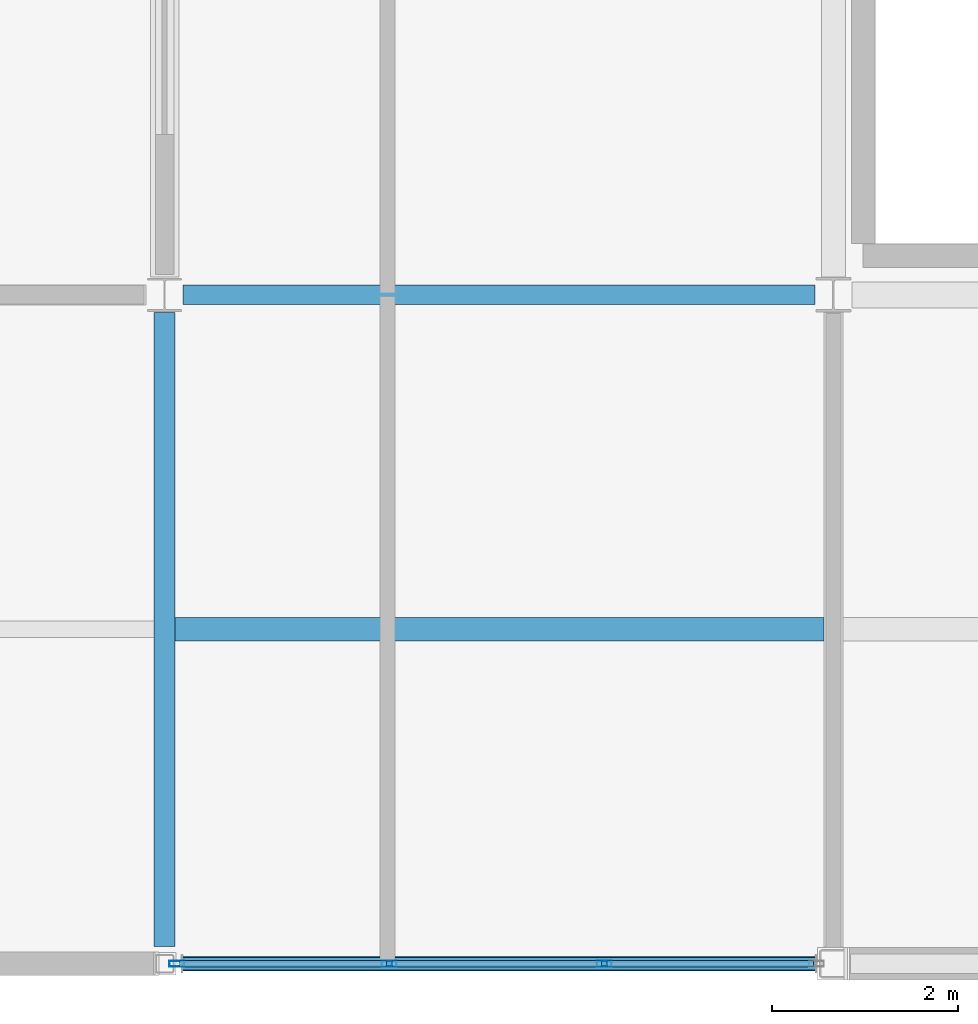
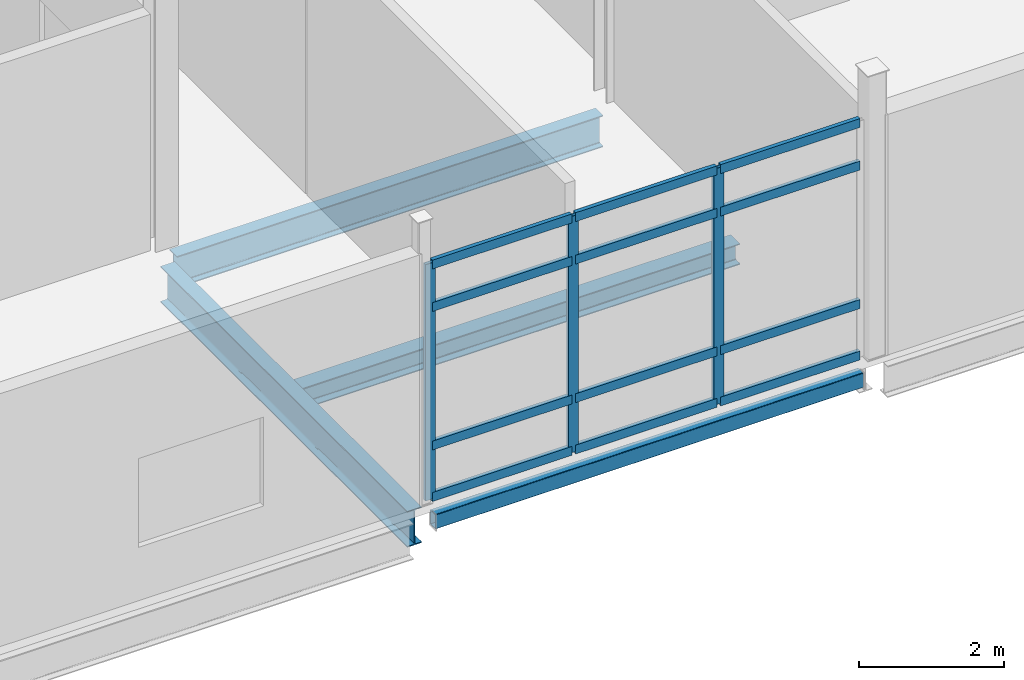
# One storey, part 22 of 72: 15 members, 4 beams, 1 element without a shape of its own.
"""IFC4 building model written with IfcOpenShell, lengths in metres."""

import ifcopenshell
import ifcopenshell.guid

model = None  # the IFC model being written
_history = None  # IfcOwnerHistory: only IFC2X3 demands one
_inside = {}  # id of a spatial element -> (the spatial element, [elements in it])
_under = {}  # id of a project, library or spatial element -> (it, [spatial elements below it])
_declared = {}  # id of a project -> (the project, [libraries it declares])
_typed = {}  # id of a type object -> (the type object, [elements of that type])
_made_of = {}  # id of a material, layer set ... -> (it, [elements and type objects made of it])


def new_model(schema):
    """Start an empty IFC model of exactly this schema.

    Asked for "IFC4X3", IfcOpenShell would pick the latest addendum, in which some entities
    have other attributes; the version numbers below select the first issue.
    IFC2X3 requires an IfcOwnerHistory on every rooted entity: one is made here for all.
    """
    global model, _history
    if schema == "IFC4X3":
        model = ifcopenshell.file(schema_version=(4, 3, 0, 0))
    else:
        model = ifcopenshell.file(schema=schema)
    _inside.clear()
    _under.clear()
    _declared.clear()
    _typed.clear()
    _made_of.clear()
    _history = None
    if model.schema == "IFC2X3":
        org = make("IfcOrganization", Name="unknown")
        user = make(
            "IfcPersonAndOrganization",
            ThePerson=make("IfcPerson", FamilyName="unknown"),
            TheOrganization=org,
        )
        app = make(
            "IfcApplication",
            ApplicationDeveloper=org,
            Version="unknown",
            ApplicationFullName="unknown",
            ApplicationIdentifier="unknown",
        )
        _history = make(
            "IfcOwnerHistory",
            OwningUser=user,
            OwningApplication=app,
            ChangeAction="ADDED",
            CreationDate=0,
        )
    return model


def make(cls, **values):
    """One entity of the class cls with the attributes given. An attribute that is None is left unset."""
    return model.create_entity(
        cls, **{name: value for name, value in values.items() if value is not None}
    )


def rooted(cls, **values):
    """An entity with a GlobalId (a new one), such as an element, a storey or a relation."""
    return make(cls, GlobalId=ifcopenshell.guid.new(), OwnerHistory=_history, **values)


def si_unit(unit_type, name, prefix=None):
    """IfcSIUnit, for example si_unit("LENGTHUNIT", "METRE", prefix="MILLI")."""
    return make("IfcSIUnit", UnitType=unit_type, Prefix=prefix, Name=name)


def assignment(units):
    """IfcUnitAssignment: the units of a project."""
    return None if units is None else make("IfcUnitAssignment", Units=units)


def point(xyz):
    """IfcCartesianPoint."""
    return None if xyz is None else make("IfcCartesianPoint", Coordinates=xyz)


def direction(xyz):
    """IfcDirection."""
    return None if xyz is None else make("IfcDirection", DirectionRatios=xyz)


def frame(location, z_axis=None, x_axis=None):
    """IfcAxis2Placement3D, a coordinate frame: its origin and axes. An axis left out is left unset."""
    return make(
        "IfcAxis2Placement3D",
        Location=point(location),
        Axis=direction(z_axis),
        RefDirection=direction(x_axis),
    )


def frame_2d(location, x_axis=None):
    """IfcAxis2Placement2D, a coordinate frame in the plane: its origin and x axis."""
    return make(
        "IfcAxis2Placement2D", Location=point(location), RefDirection=direction(x_axis)
    )


def origin():
    """The frame at (0, 0, 0) with its axes left unset."""
    return frame((0.0, 0.0, 0.0))


def origin_2d():
    """The frame at (0, 0) in the plane with its x axis left unset."""
    return frame_2d((0.0, 0.0))


def place(relative_to, where):
    """IfcLocalPlacement: puts the frame where relative to a parent placement (None: the world)."""
    return make(
        "IfcLocalPlacement", PlacementRelTo=relative_to, RelativePlacement=where
    )


def context(
    kind, dimensions, precision=None, world=None, true_north=None, identifier=None
):
    """IfcGeometricRepresentationContext, for example the 3D "Model" context."""
    return make(
        "IfcGeometricRepresentationContext",
        ContextIdentifier=identifier,
        ContextType=kind,
        CoordinateSpaceDimension=dimensions,
        Precision=precision,
        WorldCoordinateSystem=world,
        TrueNorth=true_north,
    )


def subcontext(parent, identifier, kind, view, scale=None):
    """IfcGeometricRepresentationSubContext, for example "Body" below "Model"."""
    return make(
        "IfcGeometricRepresentationSubContext",
        ContextIdentifier=identifier,
        ContextType=kind,
        ParentContext=parent,
        TargetScale=scale,
        TargetView=view,
    )


def project(units=None, contexts=None):
    """IfcProject with its units and contexts."""
    return rooted(
        "IfcProject",
        Name="project",
        RepresentationContexts=contexts,
        UnitsInContext=assignment(units),
    )


def spatial(cls, under=None, at=None, **own):
    """A site, building, storey or space (cls), placed at a placement, below another one or the project."""
    s = rooted(cls, ObjectPlacement=at, **own)
    if under is not None:
        _under.setdefault(under.id(), (under, []))[1].append(s)
    return s


def profile(cls, at=None, kind="AREA", **sizes):
    """A parametric profile (cls). Its sizes go by their IFC names, for example OverallWidth=200.0."""
    return make(cls, ProfileType=kind, Position=at, **sizes)


def hollow_rectangle(**sizes):
    """IfcRectangleHollowProfileDef."""
    return profile("IfcRectangleHollowProfileDef", **sizes)


def i_section(**sizes):
    """IfcIShapeProfileDef."""
    return profile("IfcIShapeProfileDef", **sizes)


def extrude(swept, where, along, depth):
    """IfcExtrudedAreaSolid: the profile swept, set in the frame where, extruded along a direction by depth."""
    return make(
        "IfcExtrudedAreaSolid",
        SweptArea=swept,
        Position=where,
        ExtrudedDirection=direction(along),
        Depth=depth,
    )


def shape(context_of_items, identifier, shape_type, items):
    """IfcShapeRepresentation: the items that make up one representation, for example the "Body"."""
    return make(
        "IfcShapeRepresentation",
        ContextOfItems=context_of_items,
        RepresentationIdentifier=identifier,
        RepresentationType=shape_type,
        Items=items,
    )


def material(Name=None, Category=None):
    """IfcMaterial."""
    return make("IfcMaterial", Name=Name, Category=Category)


def layer(
    of_material, thickness, ventilated=None, Name=None, Category=None, Priority=None
):
    """IfcMaterialLayer: one layer of a wall or slab, of a material (None: an air gap)."""
    return make(
        "IfcMaterialLayer",
        Material=of_material,
        LayerThickness=thickness,
        IsVentilated=ventilated,
        Name=Name,
        Category=Category,
        Priority=Priority,
    )


def layer_set(layers, Name=None):
    """IfcMaterialLayerSet."""
    return make("IfcMaterialLayerSet", MaterialLayers=layers, LayerSetName=Name)


def material_profile(
    of_material, cross_section, Name=None, Category=None, Priority=None
):
    """IfcMaterialProfile: a cross section and its material."""
    return make(
        "IfcMaterialProfile",
        Name=Name,
        Material=of_material,
        Profile=cross_section,
        Priority=Priority,
        Category=Category,
    )


def profile_set(profiles, Name=None, composite=None):
    """IfcMaterialProfileSet."""
    return make(
        "IfcMaterialProfileSet",
        Name=Name,
        MaterialProfiles=profiles,
        CompositeProfile=composite,
    )


def made_of(thing, what):
    """Note that an element or type object is made of a material, layer set ...; save() writes the relation."""
    if what is not None:
        _made_of.setdefault(what.id(), (what, []))[1].append(thing)
    return thing


def type_object(cls, material=None, **own):
    """A type object (cls), such as IfcWallType, which elements share."""
    return made_of(rooted(cls, **own), material)


def element(
    cls,
    number,
    at=None,
    inside=None,
    cuts=None,
    type_object=None,
    material=None,
    context=None,
    identifier="Body",
    shape_type=None,
    held_by="IfcProductDefinitionShape",
    body=None,
    shapes=None,
    **own,
):
    """One element of the class cls, such as IfcWall. Its Tag is "e" and its number.

    at: its placement. inside: the storey or other place that contains it. cuts: it is an
    opening in that element (IfcRelVoidsElement). A single representation is given by context,
    identifier, shape_type and body (its items); several are given by shapes. held_by: the class
    of the entity that holds the representations. save() writes the other relations.
    """
    e = rooted(cls, Tag="e%d" % number, ObjectPlacement=at, **own)
    if body is not None:
        shapes = [shape(context, identifier, shape_type, body)]
    if shapes is not None:
        e.Representation = make(held_by, Representations=shapes)
    if inside is not None:
        _inside.setdefault(inside.id(), (inside, []))[1].append(e)
    if cuts is not None:
        rooted(
            "IfcRelVoidsElement", RelatingBuildingElement=cuts, RelatedOpeningElement=e
        )
    if type_object is not None:
        _typed.setdefault(type_object.id(), (type_object, []))[1].append(e)
    return made_of(e, material)


def aggregate(whole, parts):
    """IfcRelAggregates: a whole, such as a stair, and the parts it consists of."""
    return rooted("IfcRelAggregates", RelatingObject=whole, RelatedObjects=parts)


def save(model, path):
    """Write the relations noted so far, then the file.

    IfcRelAggregates (storeys below a building ...), IfcRelContainedInSpatialStructure (elements
    in a storey), IfcRelDefinesByType, IfcRelAssociatesMaterial and IfcRelDeclares: one each for
    every whole, place, type object, material and project.
    """
    for whole, parts in _under.values():
        aggregate(whole, parts)
    for where, things in _inside.values():
        rooted(
            "IfcRelContainedInSpatialStructure",
            RelatedElements=things,
            RelatingStructure=where,
        )
    for kind, things in _typed.values():
        rooted("IfcRelDefinesByType", RelatedObjects=things, RelatingType=kind)
    for what, things in _made_of.values():
        rooted("IfcRelAssociatesMaterial", RelatedObjects=things, RelatingMaterial=what)
    for by, libraries in _declared.values():
        rooted("IfcRelDeclares", RelatingContext=by, RelatedDefinitions=libraries)
    model.write(path)


model = new_model("IFC4")

# Units and contexts
model_context = context("Model", 3, precision=1e-05, world=origin(), true_north=direction((0.0, 1.0)))
body_context = subcontext(model_context, "Body", "Model", "MODEL_VIEW")
ifc_project = project(units=[si_unit("LENGTHUNIT", "METRE"), si_unit("AREAUNIT", "SQUARE_METRE"), si_unit("VOLUMEUNIT", "CUBIC_METRE"), si_unit("PLANEANGLEUNIT", "RADIAN"), si_unit("MASSUNIT", "GRAM", prefix="KILO")], contexts=[model_context])

# Site, building, storey
site_placement = place(None, origin())
site = spatial("IfcSite", under=ifc_project, at=site_placement, CompositionType="ELEMENT")
building_placement = place(site_placement, origin())
building = spatial("IfcBuilding", under=site, at=building_placement, Name="Calvrana Isthmian Art Gallery", CompositionType="ELEMENT")
storey_placement = place(building_placement, frame((0.0, 0.0, 15.0)))
storey = spatial("IfcBuildingStorey", under=building, at=storey_placement, Name="L03", CompositionType="ELEMENT", Elevation=15.0)

# Beams
ifc_material_1 = material(Name="Steel ASTM A992 Gr 50", Category="steel")
ifc_material_profile_1 = material_profile(ifc_material_1, i_section(OverallWidth=0.208984375, OverallDepth=0.532958984375, WebThickness=0.01025390625, FlangeThickness=0.015625, FilletRadius=0.02099609375, at=origin_2d()), Name="W21X62")
ifc_profile_set_1 = profile_set([ifc_material_profile_1], Name="Steel ASTM A992 Gr 50")
beam_type_1 = type_object("IfcBeamType", Name="BM-G-W21X62", PredefinedType="BEAM", material=ifc_profile_set_1)
beam_1_placement = place(storey_placement, frame((120.199462890625, 21.60009765625, -0.511474609375), z_axis=(1.0, 0.0, 0.0), x_axis=(0.0, 1.0, 0.0)))
element("IfcBeam", 1, at=beam_1_placement, inside=storey, type_object=beam_type_1, Name="Girder X L03 16-17/D", PredefinedType="BEAM", context=body_context, shape_type="SweptSolid", body=[
    extrude(i_section(OverallWidth=0.208984375, OverallDepth=0.532958984375, WebThickness=0.01025390625, FlangeThickness=0.015625, FilletRadius=0.02099609375, at=origin_2d()), origin(), (0.0, 0.0, 1.0), 6.802490234375),
])
ifc_material_profile_2 = material_profile(ifc_material_1, i_section(OverallWidth=0.22802734375, OverallDepth=0.60693359375, WebThickness=0.01123046875, FlangeThickness=0.017333984375, FilletRadius=0.02197265625, at=origin_2d()), Name="W24X76")
ifc_profile_set_2 = profile_set([ifc_material_profile_2], Name="Steel ASTM A992 Gr 50")
beam_type_2 = type_object("IfcBeamType", Name="BM-G-W24X76", PredefinedType="BEAM", material=ifc_profile_set_2)
beam_2_placement = place(storey_placement, frame((120.0, 14.583984375, -0.548583984375), z_axis=(0.0, 1.0, 0.0), x_axis=(-1.0, 0.0, 0.0)))
element("IfcBeam", 2, at=beam_2_placement, inside=storey, type_object=beam_type_2, Name="Girder Y L03 16/C-D", PredefinedType="BEAM", context=body_context, shape_type="SweptSolid", body=[
    extrude(i_section(OverallWidth=0.22802734375, OverallDepth=0.60693359375, WebThickness=0.01123046875, FlangeThickness=0.017333984375, FilletRadius=0.02197265625, at=origin_2d()), origin(), (0.0, 0.0, 1.0), 6.822998046875),
])
ifc_material_profile_3 = material_profile(ifc_material_1, i_section(OverallWidth=0.25390625, OverallDepth=0.35302734375, WebThickness=0.009521484375, FlangeThickness=0.016357421875, FilletRadius=0.01806640625, at=origin_2d()), Name="W14X61")
ifc_profile_set_3 = profile_set([ifc_material_profile_3], Name="Steel ASTM A992 Gr 50")
beam_type_3 = type_object("IfcBeamType", Name="BM-J-W14X61", PredefinedType="JOIST", material=ifc_profile_set_3)
beam_3_placement = place(storey_placement, frame((120.114013671875, 18.0, -0.42138671875), z_axis=(1.0, 0.0, 0.0), x_axis=(0.0, 1.0, 0.0)))
element("IfcBeam", 3, at=beam_3_placement, inside=storey, type_object=beam_type_3, Name="Composite joist L03 bay 15-02", PredefinedType="JOIST", context=body_context, shape_type="SweptSolid", body=[
    extrude(i_section(OverallWidth=0.25390625, OverallDepth=0.35302734375, WebThickness=0.009521484375, FlangeThickness=0.016357421875, FilletRadius=0.01806640625, at=origin_2d()), origin(), (0.0, 0.0, 1.0), 6.9814453125),
])
ifc_material_2 = material(Name="Steel ASTM A500 Gr C", Category="steel")
ifc_material_profile_4 = material_profile(ifc_material_2, hollow_rectangle(XDim=0.15234375, YDim=0.25390625, WallThickness=0.009521484375, OuterFilletRadius=0.01904296875, at=origin_2d()), Name="HSS254X152X9.5")
ifc_profile_set_4 = profile_set([ifc_material_profile_4], Name="Steel ASTM A500 Gr C")
beam_type_4 = type_object("IfcBeamType", Name="BM-SP-HSS254", PredefinedType="SPANDREL", material=ifc_profile_set_4)
beam_4_placement = place(storey_placement, frame((120.1865234375, 14.39990234375, -0.3720703125), z_axis=(1.0, 0.0, 0.0), x_axis=(0.0, 1.0, 0.0)))
element("IfcBeam", 4, at=beam_4_placement, inside=storey, type_object=beam_type_4, Name="Girder X L03 16-17/C", PredefinedType="SPANDREL", context=body_context, shape_type="SweptSolid", body=[
    extrude(hollow_rectangle(XDim=0.15234375, YDim=0.25390625, WallThickness=0.009521484375, OuterFilletRadius=0.01904296875, at=origin_2d()), origin(), (0.0, 0.0, 1.0), 6.827880859375),
])

# Curtain wall, members
ifc_material_3 = material(Name="Anodized bronze aluminium 6063-T6", Category="aluminium")
ifc_layer = layer(ifc_material_3, 0.179931640625, Name="Anodized bronze aluminium 6063-T6")
ifc_layer_set = layer_set([ifc_layer], Name="Anodized bronze aluminium 6063-T6")
curtain_wall_type = type_object("IfcCurtainWallType", Name="CW-STICK-069X40", PredefinedType="NOTDEFINED", material=ifc_layer_set)
curtain_wall_placement = place(storey_placement, origin())
curtain_wall = element("IfcCurtainWall", 5, at=curtain_wall_placement, inside=storey, type_object=curtain_wall_type, Name="Curtain wall CW-187", PredefinedType="NOTDEFINED")
ifc_material_profile_5 = material_profile(ifc_material_3, hollow_rectangle(XDim=0.06005859375, YDim=0.159912109375, WallThickness=0.00390625, at=origin_2d()), Name="CWM60X160")
ifc_profile_set_5 = profile_set([ifc_material_profile_5], Name="Anodized bronze aluminium 6063-T6")
member_type_1 = type_object("IfcMemberType", Name="CWM-CWM60X160", PredefinedType="MULLION", material=ifc_profile_set_5)
member_1_placement = place(storey_placement, frame((124.732177734375, 14.39990234375, 0.0), z_axis=(0.0, 0.0, 1.0), x_axis=(0.0, -1.0, 0.0)))
member_1 = element("IfcMember", 6, at=member_1_placement, type_object=member_type_1, Name="CW-187 mullion 2", PredefinedType="MULLION", context=body_context, shape_type="SweptSolid", body=[
    extrude(hollow_rectangle(XDim=0.06005859375, YDim=0.159912109375, WallThickness=0.00390625, at=origin_2d()), origin(), (0.0, 0.0, 1.0), 3.987060546875),
])
member_2_placement = place(storey_placement, frame((122.4169921875, 14.39990234375, 0.0), z_axis=(0.0, 0.0, 1.0), x_axis=(0.0, -1.0, 0.0)))
member_2 = element("IfcMember", 7, at=member_2_placement, type_object=member_type_1, Name="CW-187 mullion 3", PredefinedType="MULLION", context=body_context, shape_type="SweptSolid", body=[
    extrude(hollow_rectangle(XDim=0.06005859375, YDim=0.159912109375, WallThickness=0.00390625, at=origin_2d()), origin(), (0.0, 0.0, 1.0), 3.987060546875),
])
member_3_placement = place(storey_placement, frame((120.131591796875, 14.39990234375, 0.0), z_axis=(0.0, 0.0, 1.0), x_axis=(0.0, -1.0, 0.0)))
member_3 = element("IfcMember", 8, at=member_3_placement, type_object=member_type_1, Name="CW-187 mullion 4", PredefinedType="MULLION", context=body_context, shape_type="SweptSolid", body=[
    extrude(hollow_rectangle(XDim=0.06005859375, YDim=0.159912109375, WallThickness=0.00390625, at=origin_2d()), origin(), (0.0, 0.0, 1.0), 3.987060546875),
])
ifc_material_profile_6 = material_profile(ifc_material_3, hollow_rectangle(XDim=0.06494140625, YDim=0.14990234375, WallThickness=0.00390625, at=origin_2d()), Name="CWT65X150")
ifc_profile_set_6 = profile_set([ifc_material_profile_6], Name="Anodized bronze aluminium 6063-T6")
member_type_2 = type_object("IfcMemberType", Name="CWT-CWT65X150", PredefinedType="USERDEFINED", material=ifc_profile_set_6)
member_4_placement = place(storey_placement, frame((126.987548828125, 14.39990234375, 0.032470703125), z_axis=(-1.0, 0.0, 0.0), x_axis=(0.0, -1.0, 0.0)))
member_4 = element("IfcMember", 9, at=member_4_placement, type_object=member_type_2, Name="CW-187 transom 1.1", ObjectType="TRANSOM", PredefinedType="USERDEFINED", context=body_context, shape_type="SweptSolid", body=[
    extrude(hollow_rectangle(XDim=0.06494140625, YDim=0.14990234375, WallThickness=0.00390625, at=origin_2d()), origin(), (0.0, 0.0, 1.0), 2.225341796875),
])
member_5_placement = place(storey_placement, frame((126.987548828125, 14.39990234375, 0.89990234375), z_axis=(-1.0, 0.0, 0.0), x_axis=(0.0, -1.0, 0.0)))
member_5 = element("IfcMember", 10, at=member_5_placement, type_object=member_type_2, Name="CW-187 transom 1.2", ObjectType="TRANSOM", PredefinedType="USERDEFINED", context=body_context, shape_type="SweptSolid", body=[
    extrude(hollow_rectangle(XDim=0.06494140625, YDim=0.14990234375, WallThickness=0.00390625, at=origin_2d()), origin(), (0.0, 0.0, 1.0), 2.225341796875),
])
member_6_placement = place(storey_placement, frame((126.987548828125, 14.39990234375, 3.237060546875), z_axis=(-1.0, 0.0, 0.0), x_axis=(0.0, -1.0, 0.0)))
member_6 = element("IfcMember", 11, at=member_6_placement, type_object=member_type_2, Name="CW-187 transom 1.3", ObjectType="TRANSOM", PredefinedType="USERDEFINED", context=body_context, shape_type="SweptSolid", body=[
    extrude(hollow_rectangle(XDim=0.06494140625, YDim=0.14990234375, WallThickness=0.00390625, at=origin_2d()), origin(), (0.0, 0.0, 1.0), 2.225341796875),
])
member_7_placement = place(storey_placement, frame((126.987548828125, 14.39990234375, 3.95458984375), z_axis=(-1.0, 0.0, 0.0), x_axis=(0.0, -1.0, 0.0)))
member_7 = element("IfcMember", 12, at=member_7_placement, type_object=member_type_2, Name="CW-187 transom 1.4", ObjectType="TRANSOM", PredefinedType="USERDEFINED", context=body_context, shape_type="SweptSolid", body=[
    extrude(hollow_rectangle(XDim=0.06494140625, YDim=0.14990234375, WallThickness=0.00390625, at=origin_2d()), origin(), (0.0, 0.0, 1.0), 2.225341796875),
])
member_8_placement = place(storey_placement, frame((124.7021484375, 14.39990234375, 0.032470703125), z_axis=(-1.0, 0.0, 0.0), x_axis=(0.0, -1.0, 0.0)))
member_8 = element("IfcMember", 13, at=member_8_placement, type_object=member_type_2, Name="CW-187 transom 2.1", ObjectType="TRANSOM", PredefinedType="USERDEFINED", context=body_context, shape_type="SweptSolid", body=[
    extrude(hollow_rectangle(XDim=0.06494140625, YDim=0.14990234375, WallThickness=0.00390625, at=origin_2d()), origin(), (0.0, 0.0, 1.0), 2.255126953125),
])
member_9_placement = place(storey_placement, frame((124.7021484375, 14.39990234375, 0.89990234375), z_axis=(-1.0, 0.0, 0.0), x_axis=(0.0, -1.0, 0.0)))
member_9 = element("IfcMember", 14, at=member_9_placement, type_object=member_type_2, Name="CW-187 transom 2.2", ObjectType="TRANSOM", PredefinedType="USERDEFINED", context=body_context, shape_type="SweptSolid", body=[
    extrude(hollow_rectangle(XDim=0.06494140625, YDim=0.14990234375, WallThickness=0.00390625, at=origin_2d()), origin(), (0.0, 0.0, 1.0), 2.255126953125),
])
member_10_placement = place(storey_placement, frame((124.7021484375, 14.39990234375, 3.237060546875), z_axis=(-1.0, 0.0, 0.0), x_axis=(0.0, -1.0, 0.0)))
member_10 = element("IfcMember", 15, at=member_10_placement, type_object=member_type_2, Name="CW-187 transom 2.3", ObjectType="TRANSOM", PredefinedType="USERDEFINED", context=body_context, shape_type="SweptSolid", body=[
    extrude(hollow_rectangle(XDim=0.06494140625, YDim=0.14990234375, WallThickness=0.00390625, at=origin_2d()), origin(), (0.0, 0.0, 1.0), 2.255126953125),
])
member_11_placement = place(storey_placement, frame((124.7021484375, 14.39990234375, 3.95458984375), z_axis=(-1.0, 0.0, 0.0), x_axis=(0.0, -1.0, 0.0)))
member_11 = element("IfcMember", 16, at=member_11_placement, type_object=member_type_2, Name="CW-187 transom 2.4", ObjectType="TRANSOM", PredefinedType="USERDEFINED", context=body_context, shape_type="SweptSolid", body=[
    extrude(hollow_rectangle(XDim=0.06494140625, YDim=0.14990234375, WallThickness=0.00390625, at=origin_2d()), origin(), (0.0, 0.0, 1.0), 2.255126953125),
])
member_12_placement = place(storey_placement, frame((122.386962890625, 14.39990234375, 0.032470703125), z_axis=(-1.0, 0.0, 0.0), x_axis=(0.0, -1.0, 0.0)))
member_12 = element("IfcMember", 17, at=member_12_placement, type_object=member_type_2, Name="CW-187 transom 3.1", ObjectType="TRANSOM", PredefinedType="USERDEFINED", context=body_context, shape_type="SweptSolid", body=[
    extrude(hollow_rectangle(XDim=0.06494140625, YDim=0.14990234375, WallThickness=0.00390625, at=origin_2d()), origin(), (0.0, 0.0, 1.0), 2.225341796875),
])
member_13_placement = place(storey_placement, frame((122.386962890625, 14.39990234375, 0.89990234375), z_axis=(-1.0, 0.0, 0.0), x_axis=(0.0, -1.0, 0.0)))
member_13 = element("IfcMember", 18, at=member_13_placement, type_object=member_type_2, Name="CW-187 transom 3.2", ObjectType="TRANSOM", PredefinedType="USERDEFINED", context=body_context, shape_type="SweptSolid", body=[
    extrude(hollow_rectangle(XDim=0.06494140625, YDim=0.14990234375, WallThickness=0.00390625, at=origin_2d()), origin(), (0.0, 0.0, 1.0), 2.225341796875),
])
member_14_placement = place(storey_placement, frame((122.386962890625, 14.39990234375, 3.237060546875), z_axis=(-1.0, 0.0, 0.0), x_axis=(0.0, -1.0, 0.0)))
member_14 = element("IfcMember", 19, at=member_14_placement, type_object=member_type_2, Name="CW-187 transom 3.3", ObjectType="TRANSOM", PredefinedType="USERDEFINED", context=body_context, shape_type="SweptSolid", body=[
    extrude(hollow_rectangle(XDim=0.06494140625, YDim=0.14990234375, WallThickness=0.00390625, at=origin_2d()), origin(), (0.0, 0.0, 1.0), 2.225341796875),
])
member_15_placement = place(storey_placement, frame((122.386962890625, 14.39990234375, 3.95458984375), z_axis=(-1.0, 0.0, 0.0), x_axis=(0.0, -1.0, 0.0)))
member_15 = element("IfcMember", 20, at=member_15_placement, type_object=member_type_2, Name="CW-187 transom 3.4", ObjectType="TRANSOM", PredefinedType="USERDEFINED", context=body_context, shape_type="SweptSolid", body=[
    extrude(hollow_rectangle(XDim=0.06494140625, YDim=0.14990234375, WallThickness=0.00390625, at=origin_2d()), origin(), (0.0, 0.0, 1.0), 2.225341796875),
])
aggregate(curtain_wall, [member_1, member_2, member_3, member_4, member_5, member_6, member_7, member_8, member_9, member_10, member_11, member_12, member_13, member_14, member_15])

save(model, "model.ifc")
